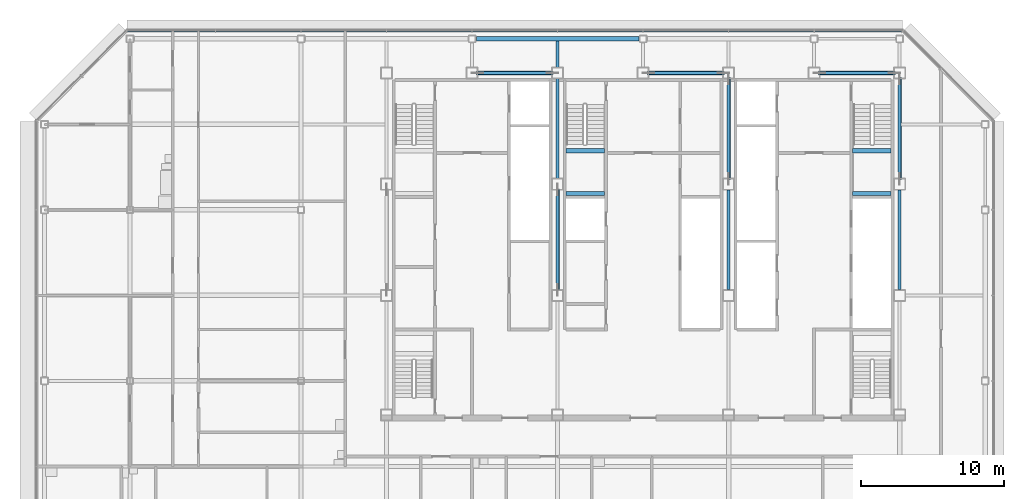
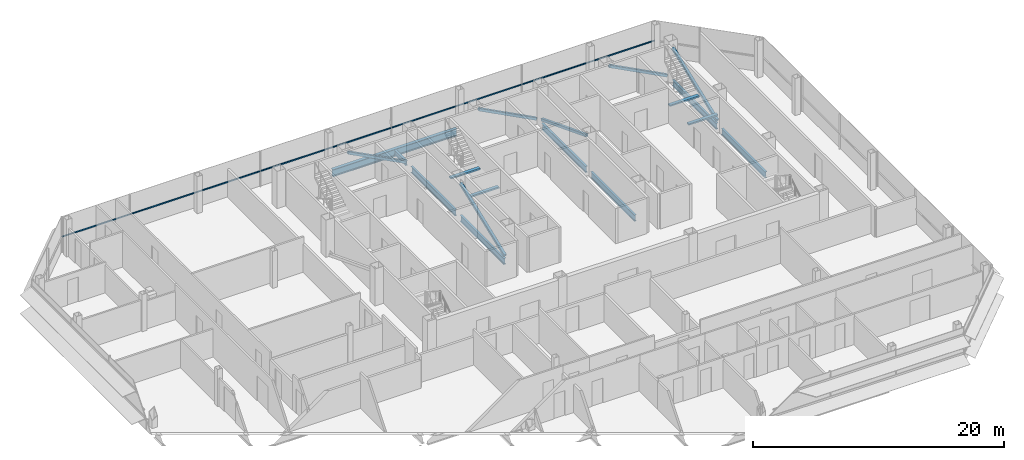
# One storey, part 15 of 28: 12 beams, 7 members, 1 element without a shape of its own.
"""IFC4 building model written with IfcOpenShell, lengths in metres."""

from ifc_helpers import new_model, si_unit, direction, frame, origin, origin_2d, place, context, subcontext, project, spatial, rectangle, hollow_rectangle, i_section, extrude, material, material_profile, profile_set, type_object, element, aggregate, save


model = new_model("IFC4")

# Units and contexts
model_context = context("Model", 3, precision=1e-05, world=origin(), true_north=direction((0.0, 1.0)))
body_context = subcontext(model_context, "Body", "Model", "MODEL_VIEW")
ifc_project = project(units=[si_unit("LENGTHUNIT", "METRE"), si_unit("AREAUNIT", "SQUARE_METRE"), si_unit("VOLUMEUNIT", "CUBIC_METRE"), si_unit("PLANEANGLEUNIT", "RADIAN"), si_unit("MASSUNIT", "GRAM", prefix="KILO")], contexts=[model_context])

# Site, building, storey
site_placement = place(None, origin())
site = spatial("IfcSite", under=ifc_project, at=site_placement, CompositionType="ELEMENT")
building_placement = place(site_placement, origin())
building = spatial("IfcBuilding", under=site, at=building_placement, Name="Sorahane Residences", CompositionType="ELEMENT")
storey_placement = place(building_placement, frame((0.0, 0.0, 301.60009765625)))
storey = spatial("IfcBuildingStorey", under=building, at=storey_placement, Name="L71", CompositionType="ELEMENT", Elevation=301.60009765625)

# Members
ifc_material_1 = material(Name="Steel Q355B", Category="steel")
ifc_material_profile_1 = material_profile(ifc_material_1, hollow_rectangle(XDim=0.25, YDim=0.25, WallThickness=0.011962890625, InnerFilletRadius=0.006103515625, OuterFilletRadius=0.01806640625, at=origin_2d()), Name="RHS 250x250x12")
ifc_profile_set_1 = profile_set([ifc_material_profile_1], Name="Steel Q355B")
member_type_1 = type_object("IfcMemberType", Name="Core brace RHS 250x250x12 Q355B", PredefinedType="BRACE", material=ifc_profile_set_1)
for number, where, z_axis, x_axis, name in (
    (1, (17.634765625, 45.60009765625, 0.106689453125), (-0.886099769192, 0.0, 0.46349455125), (0.0, -1.0, 0.0), "Core brace L71 y45.6-2"),
    (2, (29.634765625, 45.60009765625, 0.106689453125), (-0.886099769192, 0.0, 0.46349455125), (0.0, -1.0, 0.0), "Core brace L71 y45.6-4"),
    (3, (41.634765625, 45.60009765625, 0.106689453125), (-0.886099769192, 0.0, 0.46349455125), (0.0, -1.0, 0.0), "Core brace L71 y45.6-6"),
):
    element("IfcMember", number, at=place(storey_placement, frame(where, z_axis=z_axis, x_axis=x_axis)), inside=storey, type_object=member_type_1, Name=name, PredefinedType="BRACE", context=body_context, shape_type="SweptSolid", body=[
        extrude(hollow_rectangle(XDim=0.25, YDim=0.25, WallThickness=0.011962890625, InnerFilletRadius=0.006103515625, OuterFilletRadius=0.01806640625, at=origin_2d()), origin(), (0.0, 0.0, 1.0), 5.94677734375),
    ])
member_1_placement = place(storey_placement, frame((42.0, 38.1728515625, 0.1142578125), z_axis=(0.0, 0.932097872445, 0.362206510411), x_axis=(-1.0, 0.0, 0.0)))
element("IfcMember", 4, at=member_1_placement, inside=storey, type_object=member_type_1, Name="Core brace L71 x42-3", PredefinedType="BRACE", context=body_context, shape_type="SweptSolid", body=[
    extrude(hollow_rectangle(XDim=0.25, YDim=0.25, WallThickness=0.011962890625, InnerFilletRadius=0.006103515625, OuterFilletRadius=0.01806640625, at=origin_2d()), origin(), (0.0, 0.0, 1.0), 7.568115234375),
])
member_2_placement = place(storey_placement, frame((18.0, 30.372802734375, 0.1142578125), z_axis=(0.0, 0.932102104456, 0.362195619617), x_axis=(-1.0, 0.0, 0.0)))
element("IfcMember", 5, at=member_2_placement, inside=storey, type_object=member_type_1, Name="Core brace L71 x18-1", PredefinedType="BRACE", context=body_context, shape_type="SweptSolid", body=[
    extrude(hollow_rectangle(XDim=0.25, YDim=0.25, WallThickness=0.011962890625, InnerFilletRadius=0.006103515625, OuterFilletRadius=0.01806640625, at=origin_2d()), origin(), (0.0, 0.0, 1.0), 7.568359375),
])
member_3_placement = place(storey_placement, frame((30.0, 45.22705078125, 0.1142578125), z_axis=(0.0, -0.932097872445, 0.362206510411), x_axis=(1.0, 0.0, 0.0)))
element("IfcMember", 6, at=member_3_placement, inside=storey, type_object=member_type_1, Name="Core brace L71 x30-2", PredefinedType="BRACE", context=body_context, shape_type="SweptSolid", body=[
    extrude(hollow_rectangle(XDim=0.25, YDim=0.25, WallThickness=0.011962890625, InnerFilletRadius=0.006103515625, OuterFilletRadius=0.01806640625, at=origin_2d()), origin(), (0.0, 0.0, 1.0), 7.568115234375),
])

# Curtain wall, member
ifc_material_2 = material(Name="Dark low-e glass and black anodised aluminium", Category="aluminium")
curtain_wall_type = type_object("IfcCurtainWallType", Name="Curtain wall CW-1 Typical unitised wall", PredefinedType="NOTDEFINED", material=ifc_material_2)
curtain_wall_placement = place(storey_placement, origin())
curtain_wall = element("IfcCurtainWall", 7, at=curtain_wall_placement, inside=storey, type_object=curtain_wall_type, Name="CW-1 curtain wall L71 N1", PredefinedType="NOTDEFINED")
ifc_material_3 = material(Name="Black anodised aluminium", Category="aluminium")
ifc_material_profile_2 = material_profile(ifc_material_3, rectangle(XDim=0.10009765625, YDim=0.06005859375, at=origin_2d()), Name="Curtain wall transom CW-1 black anodised aluminium 60x100")
ifc_profile_set_2 = profile_set([ifc_material_profile_2], Name="Black anodised aluminium")
member_type_2 = type_object("IfcMemberType", Name="Curtain wall transom CW-1 black anodised aluminium 60x100", PredefinedType="USERDEFINED", material=ifc_profile_set_2)
member_4_placement = place(storey_placement, frame((42.198486328125, 48.530029296875, 1.5), z_axis=(-1.0, 0.0, 0.0), x_axis=(0.0, -1.0, 0.0)))
member_4 = element("IfcMember", 8, at=member_4_placement, type_object=member_type_2, Name="CW-1 transom L71 N1", ObjectType="TRANSOM", PredefinedType="USERDEFINED", context=body_context, shape_type="SweptSolid", body=[
    extrude(rectangle(XDim=0.10009765625, YDim=0.06005859375, at=origin_2d()), origin(), (0.0, 0.0, 1.0), 54.39697265625),
])
aggregate(curtain_wall, [member_4])

# Beams
ifc_material_4 = material(Name="Concrete C40", Category="concrete")
ifc_material_profile_3 = material_profile(ifc_material_4, rectangle(XDim=0.300048828125, YDim=0.139892578125, at=origin_2d()), Name="300x140")
ifc_profile_set_3 = profile_set([ifc_material_profile_3], Name="Concrete C40")
beam_type_1 = type_object("IfcBeamType", Name="RC landing beam 300 x 140 Concrete C40", PredefinedType="BEAM", material=ifc_profile_set_3)
for number, where, z_axis, x_axis, name in (
    (9, (38.699951171875, 37.14990234375, 1.52978515625), (1.0, 0.0, 0.0), (0.0, 1.0, 0.0), "Landing beam"),
    (10, (38.699951171875, 40.14990234375, 1.52978515625), (1.0, 0.0, 0.0), (0.0, 1.0, 0.0), "Landing beam"),
    (11, (18.60009765625, 37.14990234375, 1.52978515625), (1.0, 0.0, 0.0), (0.0, 1.0, 0.0), "Landing beam"),
    (12, (18.60009765625, 40.14990234375, 1.52978515625), (1.0, 0.0, 0.0), (0.0, 1.0, 0.0), "Landing beam"),
):
    element("IfcBeam", number, at=place(storey_placement, frame(where, z_axis=z_axis, x_axis=x_axis)), inside=storey, type_object=beam_type_1, Name=name, PredefinedType="BEAM", context=body_context, shape_type="SweptSolid", body=[
        extrude(rectangle(XDim=0.300048828125, YDim=0.139892578125, at=origin_2d()), origin(), (0.0, 0.0, 1.0), 2.699951171875),
    ])
ifc_material_5 = material(Name="Steel Q355B", Category="steel")
ifc_material_profile_4 = material_profile(ifc_material_5, i_section(OverallWidth=0.199951171875, OverallDepth=0.449951171875, WebThickness=0.009033203125, FlangeThickness=0.013916015625, FilletRadius=0.02001953125, at=origin_2d()), Name="HN 450x200x9x14")
ifc_profile_set_4 = profile_set([ifc_material_profile_4], Name="Steel Q355B")
beam_type_2 = type_object("IfcBeamType", Name="Steel floor beam HN 450x200x9x14 Q355B", PredefinedType="BEAM", material=ifc_profile_set_4)
beam_1_placement = place(storey_placement, frame((18.0, 46.0, -0.405029296875), z_axis=(0.0, 1.0, 0.0), x_axis=(-1.0, 0.0, 0.0)))
element("IfcBeam", 13, at=beam_1_placement, inside=storey, type_object=beam_type_2, Name="Beam L71 045", PredefinedType="BEAM", context=body_context, shape_type="SweptSolid", body=[
    extrude(i_section(OverallWidth=0.199951171875, OverallDepth=0.449951171875, WebThickness=0.009033203125, FlangeThickness=0.013916015625, FilletRadius=0.02001953125, at=origin_2d()), origin(), (0.0, 0.0, 1.0), 1.85009765625),
])
ifc_material_6 = material(Name="Steel Q355B", Category="steel")
ifc_material_profile_5 = material_profile(ifc_material_6, i_section(OverallWidth=0.199951171875, OverallDepth=0.60009765625, WebThickness=0.010986328125, FlangeThickness=0.01708984375, FilletRadius=0.02392578125, at=origin_2d()), Name="HN 600x200x11x17")
ifc_profile_set_5 = profile_set([ifc_material_profile_5], Name="Steel Q355B")
beam_type_3 = type_object("IfcBeamType", Name="Steel floor beam HN 600x200x11x17 Q355B", PredefinedType="BEAM", material=ifc_profile_set_5)
for number, where, z_axis, x_axis, name in (
    (14, (18.0, 30.39990234375, -0.47998046875), (0.0, 1.0, 0.0), (-1.0, 0.0, 0.0), "Beam L71 043"),
    (15, (18.0, 38.199951171875, -0.47998046875), (0.0, 1.0, 0.0), (-1.0, 0.0, 0.0), "Beam L71 044"),
    (16, (30.0, 30.39990234375, -0.47998046875), (0.0, 1.0, 0.0), (-1.0, 0.0, 0.0), "Beam L71 051"),
    (17, (30.0, 38.199951171875, -0.47998046875), (0.0, 1.0, 0.0), (-1.0, 0.0, 0.0), "Beam L71 052"),
    (18, (42.0, 30.39990234375, -0.47998046875), (0.0, 1.0, 0.0), (-1.0, 0.0, 0.0), "Beam L71 059"),
    (19, (42.0, 38.199951171875, -0.47998046875), (0.0, 1.0, 0.0), (-1.0, 0.0, 0.0), "Beam L71 060"),
):
    element("IfcBeam", number, at=place(storey_placement, frame(where, z_axis=z_axis, x_axis=x_axis)), inside=storey, type_object=beam_type_3, Name=name, PredefinedType="BEAM", context=body_context, shape_type="SweptSolid", body=[
        extrude(i_section(OverallWidth=0.199951171875, OverallDepth=0.60009765625, WebThickness=0.010986328125, FlangeThickness=0.01708984375, FilletRadius=0.02392578125, at=origin_2d()), origin(), (0.0, 0.0, 1.0), 7.0),
    ])
ifc_material_7 = material(Name="Steel Q355B", Category="steel")
ifc_material_profile_6 = material_profile(ifc_material_7, i_section(OverallWidth=0.300048828125, OverallDepth=0.699951171875, WebThickness=0.012939453125, FlangeThickness=0.02392578125, FilletRadius=0.028076171875, at=origin_2d()), Name="HN 700x300x13x24")
ifc_profile_set_6 = profile_set([ifc_material_profile_6], Name="Steel Q355B")
beam_type_4 = type_object("IfcBeamType", Name="Steel floor beam HN 700x300x13x24 Q355B", PredefinedType="BEAM", material=ifc_profile_set_6)
beam_2_placement = place(storey_placement, frame((12.300048828125, 48.0, -0.530029296875), z_axis=(1.0, 0.0, 0.0), x_axis=(0.0, 1.0, 0.0)))
element("IfcBeam", 20, at=beam_2_placement, inside=storey, type_object=beam_type_4, Name="Beam L71 017", PredefinedType="BEAM", context=body_context, shape_type="SweptSolid", body=[
    extrude(i_section(OverallWidth=0.300048828125, OverallDepth=0.699951171875, WebThickness=0.012939453125, FlangeThickness=0.02392578125, FilletRadius=0.028076171875, at=origin_2d()), origin(), (0.0, 0.0, 1.0), 11.39990234375),
])

save(model, "model.ifc")
